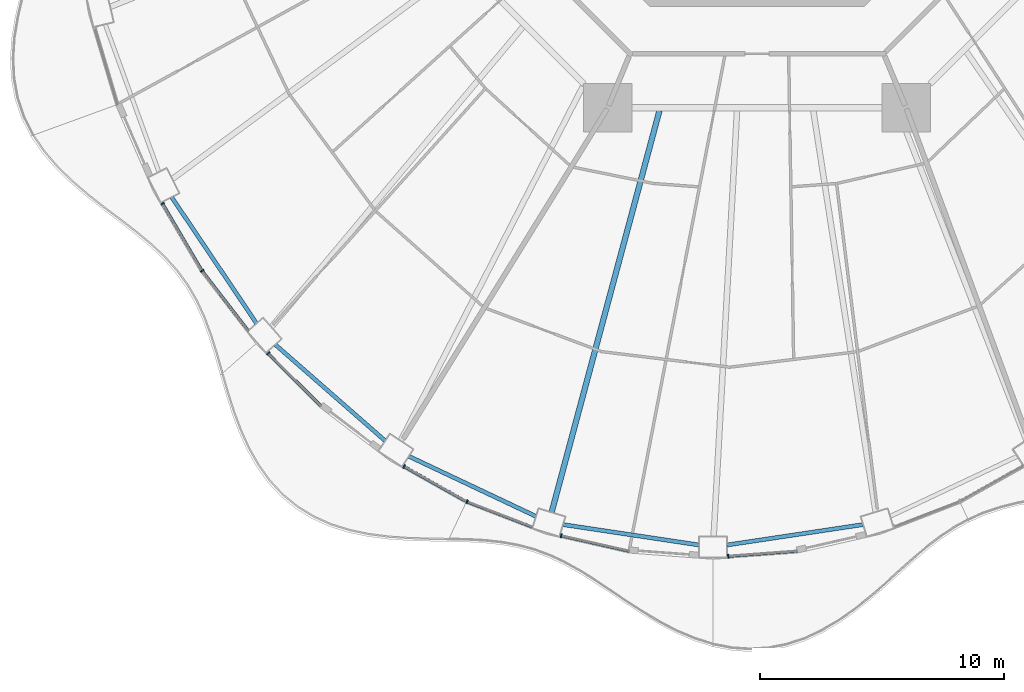
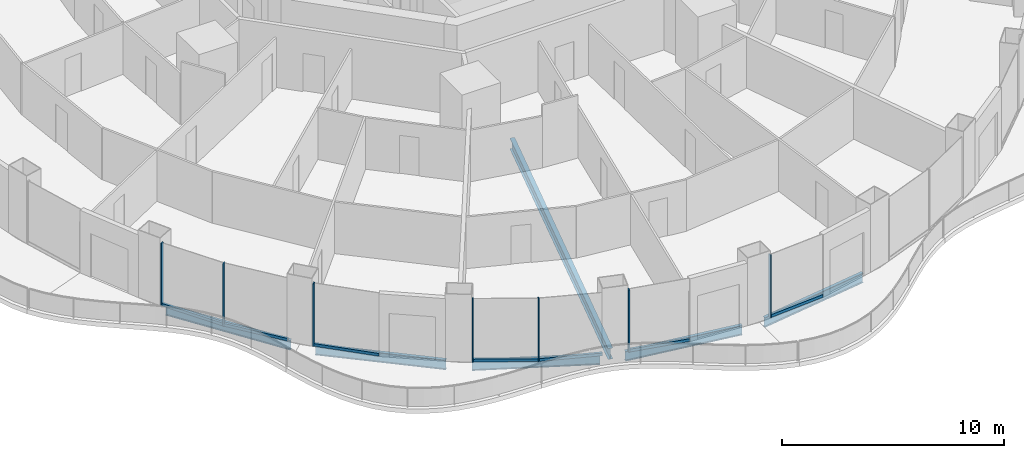
# One storey, part 2 of 21: 14 members, 6 beams, 7 elements without a shape of their own.
"""IFC4 building model written with IfcOpenShell, lengths in metres."""

from ifc_helpers import new_model, si_unit, direction, frame, origin, origin_2d, place, context, subcontext, project, spatial, rectangle, i_section, extrude, material, layer, layer_set, material_profile, profile_set, type_object, element, aggregate, save


model = new_model("IFC4")

# Units and contexts
model_context = context("Model", 3, precision=1e-05, world=origin(), true_north=direction((0.0, 1.0)))
body_context = subcontext(model_context, "Body", "Model", "MODEL_VIEW")
ifc_project = project(units=[si_unit("LENGTHUNIT", "METRE"), si_unit("AREAUNIT", "SQUARE_METRE"), si_unit("VOLUMEUNIT", "CUBIC_METRE"), si_unit("PLANEANGLEUNIT", "RADIAN"), si_unit("MASSUNIT", "GRAM", prefix="KILO")], contexts=[model_context])

# Site, building, storey
site_placement = place(None, origin())
site = spatial("IfcSite", under=ifc_project, at=site_placement, CompositionType="ELEMENT")
building_placement = place(site_placement, origin())
building = spatial("IfcBuilding", under=site, at=building_placement, Name="Nagisa Residences", CompositionType="ELEMENT")
storey_placement = place(building_placement, frame((0.0, 0.0, 134.39990234375)))
storey = spatial("IfcBuildingStorey", under=building, at=storey_placement, Name="L33", CompositionType="ELEMENT", Elevation=134.39990234375)

# Curtain wall, member
ifc_material_1 = material(Name="Concrete-coloured aluminium curtain wall system", Category="concrete")
ifc_layer = layer(ifc_material_1, 0.159912109375)
ifc_layer_set = layer_set([ifc_layer], Name="CW1 CURTAIN WALL")
curtain_wall_type = type_object("IfcCurtainWallType", Name="CW1 CURTAIN WALL", PredefinedType="NOTDEFINED", material=ifc_layer_set)
curtain_wall_1_placement = place(storey_placement, origin())
curtain_wall_1 = element("IfcCurtainWall", 1, at=curtain_wall_1_placement, inside=storey, type_object=curtain_wall_type, Name="cw:CW1:L33:28", PredefinedType="NOTDEFINED")
ifc_material_2 = material(Name="Concrete-coloured aluminium", Category="concrete")
ifc_material_profile_1 = material_profile(ifc_material_2, rectangle(XDim=0.159912109375, YDim=0.06005859375, at=origin_2d()), Name="CW1 MULLION 160x60")
ifc_profile_set_1 = profile_set([ifc_material_profile_1], Name="Concrete-coloured aluminium")
member_type_1 = type_object("IfcMemberType", Name="CW1 MULLION 160x60", PredefinedType="MULLION", material=ifc_profile_set_1)
member_1_placement = place(storey_placement, frame((-24.39208984375, -18.718017578125, 0.0), z_axis=(0.0, 0.0, 1.0), x_axis=(0.862328898214, 0.506348567002, 0.0)))
member_1 = element("IfcMember", 2, at=member_1_placement, type_object=member_type_1, Name="CW1 mullion", PredefinedType="MULLION", context=body_context, shape_type="SweptSolid", body=[
    extrude(rectangle(XDim=0.159912109375, YDim=0.06005859375, at=origin_2d()), origin(), (0.0, 0.0, 1.0), 3.440185546875),
])

curtain_wall_2_placement = place(storey_placement, origin())
curtain_wall_2 = element("IfcCurtainWall", 3, at=curtain_wall_2_placement, inside=storey, type_object=curtain_wall_type, Name="cw:CW1:L33:29", PredefinedType="NOTDEFINED")
member_2_placement = place(storey_placement, frame((-22.77001953125, -21.47412109375, 0.0), z_axis=(0.0, 0.0, 1.0), x_axis=(0.792070340816, 0.610429828235, 0.0)))
member_2 = element("IfcMember", 4, at=member_2_placement, type_object=member_type_1, Name="CW1 mullion", PredefinedType="MULLION", context=body_context, shape_type="SweptSolid", body=[
    extrude(rectangle(XDim=0.159912109375, YDim=0.06005859375, at=origin_2d()), origin(), (0.0, 0.0, 1.0), 3.440185546875),
])

curtain_wall_3_placement = place(storey_placement, origin())
curtain_wall_3 = element("IfcCurtainWall", 5, at=curtain_wall_3_placement, inside=storey, type_object=curtain_wall_type, Name="cw:CW1:L33:30", PredefinedType="NOTDEFINED")
member_3_placement = place(storey_placement, frame((-20.060546875, -24.857177734375, 0.0), z_axis=(0.0, 0.0, 1.0), x_axis=(0.706376885714, 0.707835924016, 0.0)))
member_3 = element("IfcMember", 6, at=member_3_placement, type_object=member_type_1, Name="CW1 mullion", PredefinedType="MULLION", context=body_context, shape_type="SweptSolid", body=[
    extrude(rectangle(XDim=0.159912109375, YDim=0.06005859375, at=origin_2d()), origin(), (0.0, 0.0, 1.0), 3.440185546875),
])

curtain_wall_4_placement = place(storey_placement, origin())
curtain_wall_4 = element("IfcCurtainWall", 7, at=curtain_wall_4_placement, inside=storey, type_object=curtain_wall_type, Name="cw:CW1:L33:32", PredefinedType="NOTDEFINED")
member_4_placement = place(storey_placement, frame((-14.47900390625, -29.505859375, 0.0), z_axis=(0.0, 0.0, 1.0), x_axis=(0.489376918501, 0.872072377523, 0.0)))
member_4 = element("IfcMember", 8, at=member_4_placement, type_object=member_type_1, Name="CW1 mullion", PredefinedType="MULLION", context=body_context, shape_type="SweptSolid", body=[
    extrude(rectangle(XDim=0.159912109375, YDim=0.06005859375, at=origin_2d()), origin(), (0.0, 0.0, 1.0), 3.440185546875),
])

curtain_wall_5_placement = place(storey_placement, origin())
curtain_wall_5 = element("IfcCurtainWall", 9, at=curtain_wall_5_placement, inside=storey, type_object=curtain_wall_type, Name="cw:CW1:L33:33", PredefinedType="NOTDEFINED")
member_5_placement = place(storey_placement, frame((-11.897705078125, -30.950439453125, 0.0), z_axis=(0.0, 0.0, 1.0), x_axis=(0.360327770268, 0.932825759707, 0.0)))
member_5 = element("IfcMember", 10, at=member_5_placement, type_object=member_type_1, Name="CW1 mullion", PredefinedType="MULLION", context=body_context, shape_type="SweptSolid", body=[
    extrude(rectangle(XDim=0.159912109375, YDim=0.06005859375, at=origin_2d()), origin(), (0.0, 0.0, 1.0), 3.440185546875),
])

curtain_wall_6_placement = place(storey_placement, origin())
curtain_wall_6 = element("IfcCurtainWall", 11, at=curtain_wall_6_placement, inside=storey, type_object=curtain_wall_type, Name="cw:CW1:L33:34", PredefinedType="NOTDEFINED")
member_6_placement = place(storey_placement, frame((-8.03564453125, -32.344970703125, 0.0), z_axis=(0.0, 0.0, 1.0), x_axis=(0.2207639201, 0.975327274089, 0.0)))
member_6 = element("IfcMember", 12, at=member_6_placement, type_object=member_type_1, Name="CW1 mullion", PredefinedType="MULLION", context=body_context, shape_type="SweptSolid", body=[
    extrude(rectangle(XDim=0.159912109375, YDim=0.06005859375, at=origin_2d()), origin(), (0.0, 0.0, 1.0), 3.440185546875),
])

curtain_wall_7_placement = place(storey_placement, origin())
curtain_wall_7 = element("IfcCurtainWall", 13, at=curtain_wall_7_placement, inside=storey, type_object=curtain_wall_type, Name="cw:CW1:L33:36", PredefinedType="NOTDEFINED")
member_7_placement = place(storey_placement, frame((-1.177734375, -33.18603515625, 0.0), z_axis=(0.0, 0.0, 1.0), x_axis=(-0.074377355493, 0.997230168512, 0.0)))
member_7 = element("IfcMember", 14, at=member_7_placement, type_object=member_type_1, Name="CW1 mullion", PredefinedType="MULLION", context=body_context, shape_type="SweptSolid", body=[
    extrude(rectangle(XDim=0.159912109375, YDim=0.06005859375, at=origin_2d()), origin(), (0.0, 0.0, 1.0), 3.440185546875),
])

# Member
ifc_material_3 = material(Name="Concrete-coloured aluminium", Category="concrete")
ifc_material_profile_2 = material_profile(ifc_material_3, rectangle(XDim=0.1201171875, YDim=0.14990234375, at=origin_2d()), Name="CW1 TRANSOM 120x150")
ifc_profile_set_2 = profile_set([ifc_material_profile_2], Name="Concrete-coloured aluminium")
member_type_2 = type_object("IfcMemberType", Name="CW1 TRANSOM 120x150", PredefinedType="USERDEFINED", material=ifc_profile_set_2)
member_8_placement = place(storey_placement, frame((-24.4072265625, -18.692138671875, 0.0751953125), z_axis=(0.506348207891, -0.86232910908, 0.0), x_axis=(0.86232910908, 0.506348207891, 0.0)))
member_8 = element("IfcMember", 15, at=member_8_placement, type_object=member_type_2, Name="CW1 transom", ObjectType="TRANSOM", PredefinedType="USERDEFINED", context=body_context, shape_type="SweptSolid", body=[
    extrude(rectangle(XDim=0.1201171875, YDim=0.14990234375, at=origin_2d()), origin(), (0.0, 0.0, 1.0), 3.208251953125),
])

aggregate(curtain_wall_1, [member_1, member_8])

member_9_placement = place(storey_placement, frame((-22.788330078125, -21.450439453125, 0.0751953125), z_axis=(0.610429847179, -0.792070326217, 0.0), x_axis=(0.792070326217, 0.610429847179, 0.0)))
member_9 = element("IfcMember", 16, at=member_9_placement, type_object=member_type_2, Name="CW1 transom", ObjectType="TRANSOM", PredefinedType="USERDEFINED", context=body_context, shape_type="SweptSolid", body=[
    extrude(rectangle(XDim=0.1201171875, YDim=0.14990234375, at=origin_2d()), origin(), (0.0, 0.0, 1.0), 3.149169921875),
])

aggregate(curtain_wall_2, [member_2, member_9])

member_10_placement = place(storey_placement, frame((-20.081787109375, -24.8359375, 0.0751953125), z_axis=(0.707818274975, -0.706394570768, 0.0), x_axis=(0.706394570768, 0.707818274975, 0.0)))
member_10 = element("IfcMember", 17, at=member_10_placement, type_object=member_type_2, Name="CW1 transom", ObjectType="TRANSOM", PredefinedType="USERDEFINED", context=body_context, shape_type="SweptSolid", body=[
    extrude(rectangle(XDim=0.1201171875, YDim=0.14990234375, at=origin_2d()), origin(), (0.0, 0.0, 1.0), 3.086669921875),
])

aggregate(curtain_wall_3, [member_3, member_10])

member_11_placement = place(storey_placement, frame((-14.505126953125, -29.4912109375, 0.0751953125), z_axis=(0.87206688547, -0.489386705241, 0.0), x_axis=(0.489386705241, 0.87206688547, 0.0)))
member_11 = element("IfcMember", 18, at=member_11_placement, type_object=member_type_2, Name="CW1 transom", ObjectType="TRANSOM", PredefinedType="USERDEFINED", context=body_context, shape_type="SweptSolid", body=[
    extrude(rectangle(XDim=0.1201171875, YDim=0.14990234375, at=origin_2d()), origin(), (0.0, 0.0, 1.0), 2.9697265625),
])

aggregate(curtain_wall_4, [member_4, member_11])

member_12_placement = place(storey_placement, frame((-11.92578125, -30.939697265625, 0.0751953125), z_axis=(0.932845344347, -0.360277064952, 0.0), x_axis=(0.360277064952, 0.932845344347, 0.0)))
member_12 = element("IfcMember", 19, at=member_12_placement, type_object=member_type_2, Name="CW1 transom", ObjectType="TRANSOM", PredefinedType="USERDEFINED", context=body_context, shape_type="SweptSolid", body=[
    extrude(rectangle(XDim=0.1201171875, YDim=0.14990234375, at=origin_2d()), origin(), (0.0, 0.0, 1.0), 2.92333984375),
])

aggregate(curtain_wall_5, [member_5, member_12])

member_13_placement = place(storey_placement, frame((-8.06494140625, -32.338134765625, 0.0751953125), z_axis=(0.975320849653, -0.220792301117, 0.0), x_axis=(0.220792301117, 0.975320849653, 0.0)))
member_13 = element("IfcMember", 20, at=member_13_placement, type_object=member_type_2, Name="CW1 transom", ObjectType="TRANSOM", PredefinedType="USERDEFINED", context=body_context, shape_type="SweptSolid", body=[
    extrude(rectangle(XDim=0.1201171875, YDim=0.14990234375, at=origin_2d()), origin(), (0.0, 0.0, 1.0), 2.890380859375),
])

aggregate(curtain_wall_6, [member_6, member_13])

member_14_placement = place(storey_placement, frame((-1.20751953125, -33.188232421875, 0.0751953125), z_axis=(0.997231697044, 0.074356858535, 0.0), x_axis=(-0.074356858535, 0.997231697044, 0.0)))
member_14 = element("IfcMember", 21, at=member_14_placement, type_object=member_type_2, Name="CW1 transom", ObjectType="TRANSOM", PredefinedType="USERDEFINED", context=body_context, shape_type="SweptSolid", body=[
    extrude(rectangle(XDim=0.1201171875, YDim=0.14990234375, at=origin_2d()), origin(), (0.0, 0.0, 1.0), 2.873046875),
])

aggregate(curtain_wall_7, [member_7, member_14])

# Beams
ifc_material_4 = material(Name="Steel ASTM A572 Gr 50", Category="steel")
ifc_material_profile_3 = material_profile(ifc_material_4, i_section(OverallWidth=0.166015625, OverallDepth=0.534912109375, WebThickness=0.01025390625, FlangeThickness=0.0166015625, at=origin_2d()), Name="W530x85")
ifc_profile_set_3 = profile_set([ifc_material_profile_3], Name="Steel ASTM A572 Gr 50")
beam_type_1 = type_object("IfcBeamType", Name="Perimeter ring beam W530x85", PredefinedType="BEAM", material=ifc_profile_set_3)
beam_1_placement = place(storey_placement, frame((-24.020751953125, -18.4501953125, -0.52734375), z_axis=(0.558187951157, -0.82971453596, 0.0), x_axis=(0.82971453596, 0.558187951157, 0.0)))
element("IfcBeam", 22, at=beam_1_placement, inside=storey, type_object=beam_type_1, Name="beam:L33:pb15", PredefinedType="BEAM", context=body_context, shape_type="SweptSolid", body=[
    extrude(i_section(OverallWidth=0.166015625, OverallDepth=0.534912109375, WebThickness=0.01025390625, FlangeThickness=0.0166015625, at=origin_2d()), origin(), (0.0, 0.0, 1.0), 6.24267578125),
])
beam_2_placement = place(storey_placement, frame((-19.769287109375, -24.500732421875, -0.52734375), z_axis=(0.75252371036, -0.658565156493, 0.0), x_axis=(0.658565156493, 0.75252371036, 0.0)))
element("IfcBeam", 23, at=beam_2_placement, inside=storey, type_object=beam_type_1, Name="beam:L33:pb16", PredefinedType="BEAM", context=body_context, shape_type="SweptSolid", body=[
    extrude(i_section(OverallWidth=0.166015625, OverallDepth=0.534912109375, WebThickness=0.01025390625, FlangeThickness=0.0166015625, at=origin_2d()), origin(), (0.0, 0.0, 1.0), 5.994384765625),
])
beam_3_placement = place(storey_placement, frame((-14.287841796875, -29.084716796875, -0.52734375), z_axis=(0.904186034847, -0.427138870143, 0.0), x_axis=(0.427138870143, 0.904186034847, 0.0)))
element("IfcBeam", 24, at=beam_3_placement, inside=storey, type_object=beam_type_1, Name="beam:L33:pb17", PredefinedType="BEAM", context=body_context, shape_type="SweptSolid", body=[
    extrude(i_section(OverallWidth=0.166015625, OverallDepth=0.534912109375, WebThickness=0.01025390625, FlangeThickness=0.0166015625, at=origin_2d()), origin(), (0.0, 0.0, 1.0), 5.772216796875),
])
for number, where, z_axis, x_axis, name in (
    (25, (-7.958251953125, -31.887939453125, -0.52734375), (0.9889122118, -0.148501304214, 0.0), (0.148501304214, 0.9889122118, 0.0), "beam:L33:pb18"),
    (26, (-1.2197265625, -32.7255859375, -0.52734375), (0.9889122118, 0.148501304214, 0.0), (-0.148501304214, 0.9889122118, 0.0), "beam:L33:pb19"),
):
    element("IfcBeam", number, at=place(storey_placement, frame(where, z_axis=z_axis, x_axis=x_axis)), inside=storey, type_object=beam_type_1, Name=name, PredefinedType="BEAM", context=body_context, shape_type="SweptSolid", body=[
        extrude(i_section(OverallWidth=0.166015625, OverallDepth=0.534912109375, WebThickness=0.01025390625, FlangeThickness=0.0166015625, at=origin_2d()), origin(), (0.0, 0.0, 1.0), 5.640625),
    ])
ifc_material_5 = material(Name="Steel ASTM A572 Gr 50", Category="steel")
ifc_material_profile_4 = material_profile(ifc_material_5, i_section(OverallWidth=0.22900390625, OverallDepth=0.612060546875, WebThickness=0.011962890625, FlangeThickness=0.01953125, at=origin_2d()), Name="W610x125")
ifc_profile_set_4 = profile_set([ifc_material_profile_4], Name="Steel ASTM A572 Gr 50")
beam_type_2 = type_object("IfcBeamType", Name="Radial beam W610x125", PredefinedType="BEAM", material=ifc_profile_set_4)
beam_4_placement = place(storey_placement, frame((-8.4267578125, -31.38525390625, -0.56591796875), z_axis=(0.25930906211, 0.965794393392, 0.0), x_axis=(-0.965794393392, 0.25930906211, 0.0)))
element("IfcBeam", 27, at=beam_4_placement, inside=storey, type_object=beam_type_2, Name="beam:L33:rb18", PredefinedType="BEAM", context=body_context, shape_type="SweptSolid", body=[
    extrude(i_section(OverallWidth=0.22900390625, OverallDepth=0.612060546875, WebThickness=0.011962890625, FlangeThickness=0.01953125, at=origin_2d()), origin(), (0.0, 0.0, 1.0), 17.079833984375),
])

save(model, "model.ifc")
